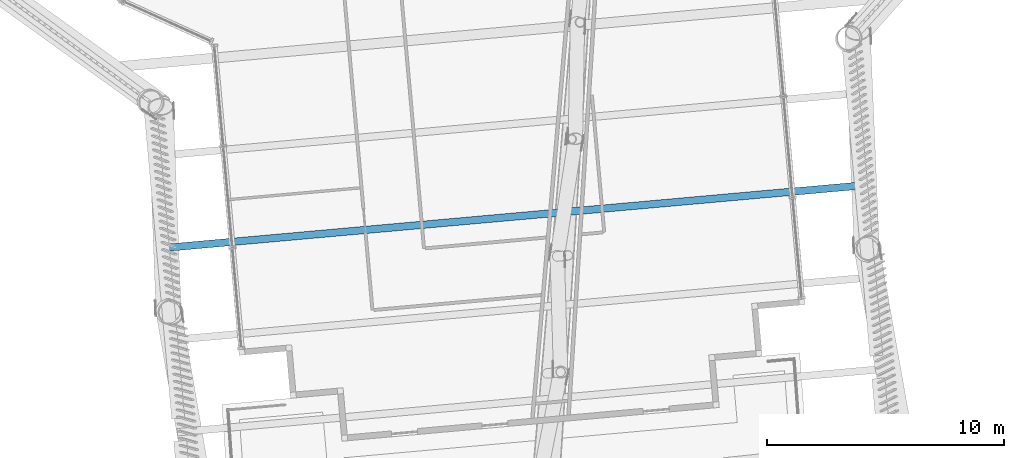
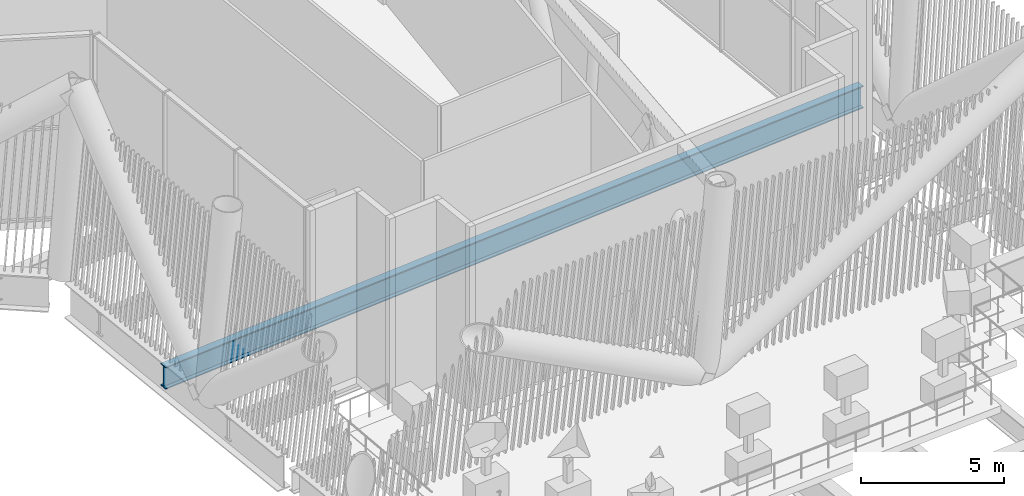
# One storey, part 5 of 55: 1 beam.
"""IFC4 building model written with IfcOpenShell, lengths in metres."""

from ifc_helpers import new_model, si_unit, direction, frame, origin, origin_2d, place, context, subcontext, project, spatial, i_section, extrude, material, material_profile, profile_set, type_object, element, save


model = new_model("IFC4")

# Units and contexts
model_context = context("Model", 3, precision=1e-05, world=origin(), true_north=direction((0.0, 1.0)))
body_context = subcontext(model_context, "Body", "Model", "MODEL_VIEW")
ifc_project = project(units=[si_unit("LENGTHUNIT", "METRE"), si_unit("AREAUNIT", "SQUARE_METRE"), si_unit("VOLUMEUNIT", "CUBIC_METRE"), si_unit("PLANEANGLEUNIT", "RADIAN"), si_unit("MASSUNIT", "GRAM", prefix="KILO")], contexts=[model_context])

# Site, building, storey
site_placement = place(None, origin())
site = spatial("IfcSite", under=ifc_project, at=site_placement, CompositionType="ELEMENT")
building_placement = place(site_placement, origin())
building = spatial("IfcBuilding", under=site, at=building_placement, Name="Tarsis Ring Headquarters", CompositionType="ELEMENT")
storey_placement = place(building_placement, frame((0.0, 0.0, 247.199951171875)))
storey = spatial("IfcBuildingStorey", under=building, at=storey_placement, Name="L58", CompositionType="ELEMENT", Elevation=247.199951171875)

# Beam
ifc_material = material(Name="Structural steel S355", Category="steel")
ifc_material_profile = material_profile(ifc_material, i_section(OverallWidth=0.309814453125, OverallDepth=0.949951171875, WebThickness=0.0244140625, FlangeThickness=0.0439453125, at=origin_2d()), Name="W36x256")
ifc_profile_set = profile_set([ifc_material_profile], Name="Structural steel S355")
beam_type = type_object("IfcBeamType", Name="FB Floor beam W36x256", PredefinedType="JOIST", material=ifc_profile_set)
beam_placement = place(storey_placement, frame((-12.041259765625, -32.40380859375, -0.77490234375), z_axis=(0.996009935687, 0.089242411509, 0.0), x_axis=(-0.089242411509, 0.996009935687, 0.0)))
element("IfcBeam", 1, at=beam_placement, inside=storey, type_object=beam_type, Name="Floor beam FB11", PredefinedType="JOIST", context=body_context, shape_type="SweptSolid", body=[
    extrude(i_section(OverallWidth=0.309814453125, OverallDepth=0.949951171875, WebThickness=0.0244140625, FlangeThickness=0.0439453125, at=origin_2d()), origin(), (0.0, 0.0, 1.0), 29.77001953125),
])

save(model, "model.ifc")
